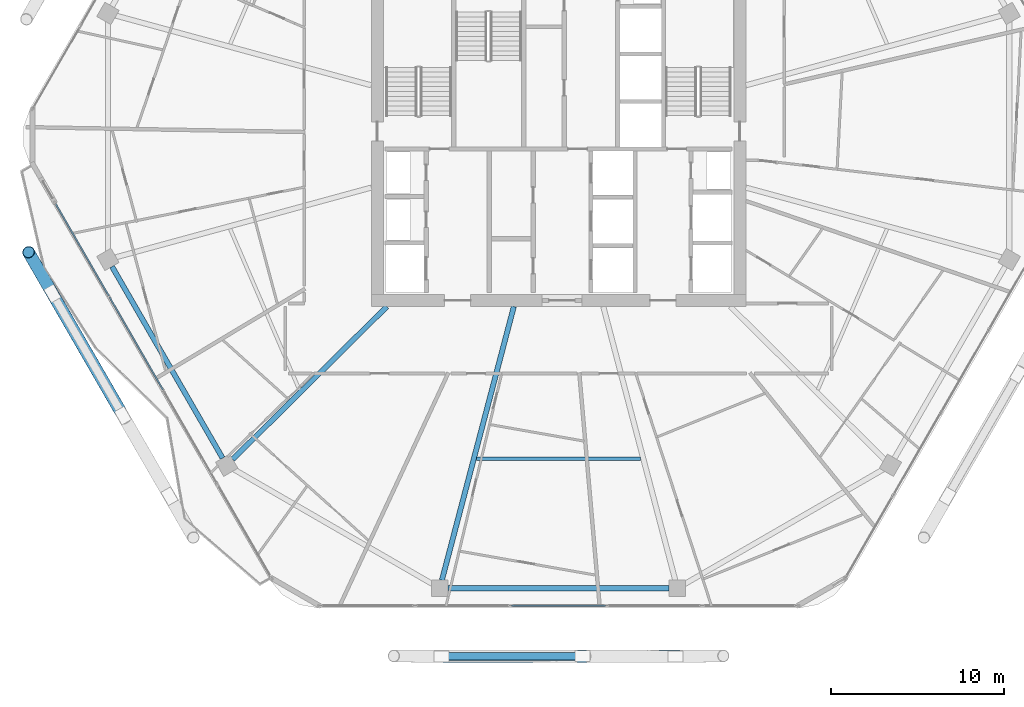
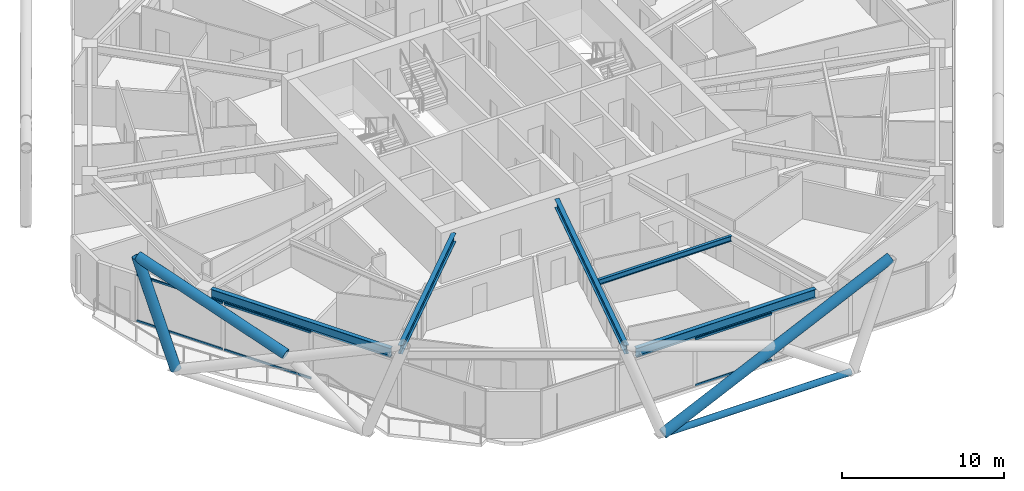
# One storey, part 4 of 27: 10 members, 5 beams, 2 elements without a shape of their own.
"""IFC4 building model written with IfcOpenShell, lengths in metres."""

from ifc_helpers import new_model, si_unit, direction, frame, origin, origin_2d, place, context, subcontext, project, spatial, hollow_rectangle, hollow_circle, i_section, extrude, material, material_profile, profile_set, type_object, element, aggregate, save


model = new_model("IFC4")

# Units and contexts
model_context = context("Model", 3, precision=1e-05, world=origin(), true_north=direction((0.0, 1.0)))
body_context = subcontext(model_context, "Body", "Model", "MODEL_VIEW")
ifc_project = project(units=[si_unit("LENGTHUNIT", "METRE"), si_unit("AREAUNIT", "SQUARE_METRE"), si_unit("VOLUMEUNIT", "CUBIC_METRE"), si_unit("PLANEANGLEUNIT", "RADIAN"), si_unit("MASSUNIT", "GRAM", prefix="KILO")], contexts=[model_context])

# Site, building, storey
site_placement = place(None, origin())
site = spatial("IfcSite", under=ifc_project, at=site_placement, CompositionType="ELEMENT")
building_placement = place(site_placement, origin())
building = spatial("IfcBuilding", under=site, at=building_placement, Name="Zuhravey Tower", CompositionType="ELEMENT")
storey_placement = place(building_placement, frame((0.0, 0.0, 215.0)))
storey = spatial("IfcBuildingStorey", under=building, at=storey_placement, Name="L54", CompositionType="ELEMENT", Elevation=215.0)

# Curtain wall, members
ifc_material_1 = material(Name="Thermally broken anodised aluminium", Category="aluminium")
curtain_wall_type = type_object("IfcCurtainWallType", Name="Zone 1-2 Residential Curtain Wall CW3", PredefinedType="NOTDEFINED", material=ifc_material_1)
curtain_wall_1_placement = place(storey_placement, origin())
curtain_wall_1 = element("IfcCurtainWall", 1, at=curtain_wall_1_placement, inside=storey, type_object=curtain_wall_type, Name="L54 CW3 CW-L54-F5-1", PredefinedType="NOTDEFINED")
ifc_material_2 = material(Name="Anodised aluminium", Category="aluminium")
ifc_material_profile_1 = material_profile(ifc_material_2, hollow_rectangle(XDim=0.090087890625, YDim=0.14990234375, WallThickness=0.0048828125, at=origin_2d()), Name="ALU-RHS-90x150x5")
ifc_profile_set_1 = profile_set([ifc_material_profile_1], Name="Anodised aluminium")
member_type_1 = type_object("IfcMemberType", Name="Curtain-Wall Transom 90x150", PredefinedType="USERDEFINED", material=ifc_profile_set_1)
member_1_placement = place(storey_placement, frame((38.727294921875, 4.81689453125, 0.044921875), z_axis=(-1.0, 0.0, 0.0), x_axis=(0.0, -1.0, 0.0)))
member_1 = element("IfcMember", 2, at=member_1_placement, type_object=member_type_1, Name="CW3 transom 3.1", ObjectType="TRANSOM", PredefinedType="USERDEFINED", context=body_context, shape_type="SweptSolid", body=[
    extrude(hollow_rectangle(XDim=0.090087890625, YDim=0.14990234375, WallThickness=0.0048828125, at=origin_2d()), origin(), (0.0, 0.0, 1.0), 5.45458984375),
])
member_2_placement = place(storey_placement, frame((38.727294921875, 4.81689453125, 3.5048828125), z_axis=(-1.0, 0.0, 0.0), x_axis=(0.0, -1.0, 0.0)))
member_2 = element("IfcMember", 3, at=member_2_placement, type_object=member_type_1, Name="CW3 transom 3.2", ObjectType="TRANSOM", PredefinedType="USERDEFINED", context=body_context, shape_type="SweptSolid", body=[
    extrude(hollow_rectangle(XDim=0.090087890625, YDim=0.14990234375, WallThickness=0.0048828125, at=origin_2d()), origin(), (0.0, 0.0, 1.0), 5.45458984375),
])
aggregate(curtain_wall_1, [member_1, member_2])

curtain_wall_2_placement = place(storey_placement, origin())
curtain_wall_2 = element("IfcCurtainWall", 4, at=curtain_wall_2_placement, inside=storey, type_object=curtain_wall_type, Name="L54 CW3 CW-L54-F4-1", PredefinedType="NOTDEFINED")
member_3_placement = place(storey_placement, frame((13.084716796875, 17.32421875, 0.044921875), z_axis=(-0.500014824642, 0.866016844604, 0.0), x_axis=(-0.866016844604, -0.500014824642, 0.0)))
member_3 = element("IfcMember", 5, at=member_3_placement, type_object=member_type_1, Name="CW3 transom 3.1", ObjectType="TRANSOM", PredefinedType="USERDEFINED", context=body_context, shape_type="SweptSolid", body=[
    extrude(hollow_rectangle(XDim=0.090087890625, YDim=0.14990234375, WallThickness=0.0048828125, at=origin_2d()), origin(), (0.0, 0.0, 1.0), 6.192138671875),
])
member_4_placement = place(storey_placement, frame((13.084716796875, 17.32421875, 3.5048828125), z_axis=(-0.500014824642, 0.866016844604, 0.0), x_axis=(-0.866016844604, -0.500014824642, 0.0)))
member_4 = element("IfcMember", 6, at=member_4_placement, type_object=member_type_1, Name="CW3 transom 3.2", ObjectType="TRANSOM", PredefinedType="USERDEFINED", context=body_context, shape_type="SweptSolid", body=[
    extrude(hollow_rectangle(XDim=0.090087890625, YDim=0.14990234375, WallThickness=0.0048828125, at=origin_2d()), origin(), (0.0, 0.0, 1.0), 6.192138671875),
])
member_5_placement = place(storey_placement, frame((9.943603515625, 22.764892578125, 0.044921875), z_axis=(-0.499996347438, 0.866027512582, 0.0), x_axis=(-0.866027512582, -0.499996347438, 0.0)))
member_5 = element("IfcMember", 7, at=member_5_placement, type_object=member_type_1, Name="CW3 transom 4.1", ObjectType="TRANSOM", PredefinedType="USERDEFINED", context=body_context, shape_type="SweptSolid", body=[
    extrude(hollow_rectangle(XDim=0.090087890625, YDim=0.14990234375, WallThickness=0.0048828125, at=origin_2d()), origin(), (0.0, 0.0, 1.0), 6.14697265625),
])
member_6_placement = place(storey_placement, frame((9.943603515625, 22.764892578125, 3.5048828125), z_axis=(-0.499996347438, 0.866027512582, 0.0), x_axis=(-0.866027512582, -0.499996347438, 0.0)))
member_6 = element("IfcMember", 8, at=member_6_placement, type_object=member_type_1, Name="CW3 transom 4.2", ObjectType="TRANSOM", PredefinedType="USERDEFINED", context=body_context, shape_type="SweptSolid", body=[
    extrude(hollow_rectangle(XDim=0.090087890625, YDim=0.14990234375, WallThickness=0.0048828125, at=origin_2d()), origin(), (0.0, 0.0, 1.0), 6.14697265625),
])
aggregate(curtain_wall_2, [member_3, member_4, member_5, member_6])

# Members
ifc_material_3 = material(Name="Steel SM355", Category="steel")
ifc_material_profile_2 = material_profile(ifc_material_3, hollow_circle(Radius=0.228515625, WallThickness=0.02197265625, at=origin_2d()), Name="CHS-457.2x22")
ifc_profile_set_2 = profile_set([ifc_material_profile_2], Name="Steel SM355")
member_type_2 = type_object("IfcMemberType", Name="Exoskeleton Ring Tie CHS457x22", PredefinedType="CHORD", material=ifc_profile_set_2)
member_7_placement = place(storey_placement, frame((29.35888671875, 1.876953125, -0.464111328125), z_axis=(1.0, 0.0, 0.0), x_axis=(0.0, 1.0, 0.0)))
element("IfcMember", 9, at=member_7_placement, inside=storey, type_object=member_type_2, Name="L54 Exoskeleton Face 5 Tie EXR1", PredefinedType="CHORD", context=body_context, shape_type="SweptSolid", body=[
    extrude(hollow_circle(Radius=0.228515625, WallThickness=0.02197265625, at=origin_2d()), origin(), (0.0, 0.0, 1.0), 13.2822265625),
])
ifc_material_4 = material(Name="Steel SM460", Category="steel")
ifc_material_profile_3 = material_profile(ifc_material_4, hollow_circle(Radius=0.355712890625, WallThickness=0.031982421875, at=origin_2d()), Name="CHS-711.2x32")
ifc_profile_set_3 = profile_set([ifc_material_profile_3], Name="Steel SM460")
member_type_3 = type_object("IfcMemberType", Name="Exoskeleton Zone 2 Diagrid CHS711x32", PredefinedType="BRACE", material=ifc_profile_set_3)
member_8_placement = place(storey_placement, frame((6.67431640625, 22.9072265625, -0.444091796875), z_axis=(-0.171428917165, 0.296929081792, 0.939385568734), x_axis=(-0.866029404905, -0.499993069792, 0.0)))
element("IfcMember", 10, at=member_8_placement, inside=storey, type_object=member_type_3, Name="L54 Face 4 Diagrid Brace 1", PredefinedType="BRACE", context=body_context, shape_type="SweptSolid", body=[
    extrude(hollow_circle(Radius=0.355712890625, WallThickness=0.031982421875, at=origin_2d()), origin(), (0.0, 0.0, 1.0), 8.0478515625),
])
member_9_placement = place(storey_placement, frame((10.598876953125, 16.10986328125, 3.449462890625), z_axis=(-0.472331580905, 0.818098632232, 0.328051071665), x_axis=(-0.866024434144, -0.500001679462, 0.0)))
element("IfcMember", 11, at=member_9_placement, inside=storey, type_object=member_type_3, Name="L54 Face 4 Split Diagrid Brace 3B", PredefinedType="BRACE", context=body_context, shape_type="SweptSolid", body=[
    extrude(hollow_circle(Radius=0.355712890625, WallThickness=0.031982421875, at=origin_2d()), origin(), (0.0, 0.0, 1.0), 11.18994140625),
])
member_10_placement = place(storey_placement, frame((29.261962890625, 1.876953125, -0.444091796875), z_axis=(0.906678910824, 0.001661881417, 0.421818196403), x_axis=(-0.001832929613, 0.999998320183, 0.0)))
element("IfcMember", 12, at=member_10_placement, inside=storey, type_object=member_type_3, Name="L54 Face 5 Diagrid Brace 2", PredefinedType="BRACE", context=body_context, shape_type="SweptSolid", body=[
    extrude(hollow_circle(Radius=0.355712890625, WallThickness=0.031982421875, at=origin_2d()), origin(), (0.0, 0.0, 1.0), 17.922607421875),
])

# Beams
ifc_material_profile_4 = material_profile(ifc_material_3, i_section(OverallWidth=0.300048828125, OverallDepth=0.679931640625, WebThickness=0.012939453125, FlangeThickness=0.02197265625, at=origin_2d()), Name="H-680x300x13x22")
ifc_profile_set_4 = profile_set([ifc_material_profile_4], Name="Steel SM355")
beam_type_1 = type_object("IfcBeamType", Name="Perimeter Ring Beam H680x300", PredefinedType="BEAM", material=ifc_profile_set_4)
for number, where, z_axis, x_axis, name in (
    (13, (10.13134765625, 24.45947265625, 3.2099609375), (0.500003505699, -0.866023379758, 0.0), (0.866023379758, 0.500003505699, 0.0), "L54 PB2 BM-L54-PB-07"),
    (14, (29.595947265625, 5.826904296875, 3.2099609375), (1.0, 0.0, 0.0), (0.0, 1.0, 0.0), "L54 PB2 BM-L54-PB-09"),
):
    element("IfcBeam", number, at=place(storey_placement, frame(where, z_axis=z_axis, x_axis=x_axis)), inside=storey, type_object=beam_type_1, Name=name, PredefinedType="BEAM", context=body_context, shape_type="SweptSolid", body=[
        extrude(i_section(OverallWidth=0.300048828125, OverallDepth=0.679931640625, WebThickness=0.012939453125, FlangeThickness=0.02197265625, at=origin_2d()), origin(), (0.0, 0.0, 1.0), 12.80810546875),
    ])
ifc_material_profile_5 = material_profile(ifc_material_3, i_section(OverallWidth=0.300048828125, OverallDepth=0.64990234375, WebThickness=0.012939453125, FlangeThickness=0.02197265625, at=origin_2d()), Name="H-650x300x13x22")
ifc_profile_set_5 = profile_set([ifc_material_profile_5], Name="Steel SM355")
beam_type_2 = type_object("IfcBeamType", Name="Radial Primary Girder H650x300", PredefinedType="BEAM", material=ifc_profile_set_5)
beam_1_placement = place(storey_placement, frame((26.054443359375, 22.14697265625, 3.22509765625), z_axis=(-0.710406645816, -0.703791444663, 0.0), x_axis=(0.703791444663, -0.710406645816, 0.0)))
element("IfcBeam", 15, at=beam_1_placement, inside=storey, type_object=beam_type_2, Name="L54 RG2 BM-L54-RAD-08", PredefinedType="BEAM", context=body_context, shape_type="SweptSolid", body=[
    extrude(i_section(OverallWidth=0.300048828125, OverallDepth=0.64990234375, WebThickness=0.012939453125, FlangeThickness=0.02197265625, at=origin_2d()), origin(), (0.0, 0.0, 1.0), 12.5849609375),
])
beam_2_placement = place(storey_placement, frame((33.4091796875, 22.14697265625, 3.22509765625), z_axis=(-0.254299806285, -0.967125435775, 0.0), x_axis=(0.967125435775, -0.254299806285, 0.0)))
element("IfcBeam", 16, at=beam_2_placement, inside=storey, type_object=beam_type_2, Name="L54 RG2 BM-L54-RAD-09", PredefinedType="BEAM", context=body_context, shape_type="SweptSolid", body=[
    extrude(i_section(OverallWidth=0.300048828125, OverallDepth=0.64990234375, WebThickness=0.012939453125, FlangeThickness=0.02197265625, at=origin_2d()), origin(), (0.0, 0.0, 1.0), 16.396728515625),
])
ifc_material_profile_6 = material_profile(ifc_material_3, i_section(OverallWidth=0.199951171875, OverallDepth=0.39990234375, WebThickness=0.008056640625, FlangeThickness=0.012939453125, at=origin_2d()), Name="H-400x200x8x13")
ifc_profile_set_6 = profile_set([ifc_material_profile_6], Name="Steel SM355")
beam_type_3 = type_object("IfcBeamType", Name="Secondary Floor Joist H400x200", PredefinedType="JOIST", material=ifc_profile_set_6)
beam_3_placement = place(storey_placement, frame((31.245849609375, 13.334228515625, 3.35009765625), z_axis=(1.0, 0.0, 0.0), x_axis=(0.0, 1.0, 0.0)))
element("IfcBeam", 17, at=beam_3_placement, inside=storey, type_object=beam_type_3, Name="L54 SJ2 BM-L54-SJ-09-1", PredefinedType="JOIST", context=body_context, shape_type="SweptSolid", body=[
    extrude(i_section(OverallWidth=0.199951171875, OverallDepth=0.39990234375, WebThickness=0.008056640625, FlangeThickness=0.012939453125, at=origin_2d()), origin(), (0.0, 0.0, 1.0), 9.50830078125),
])

save(model, "model.ifc")
